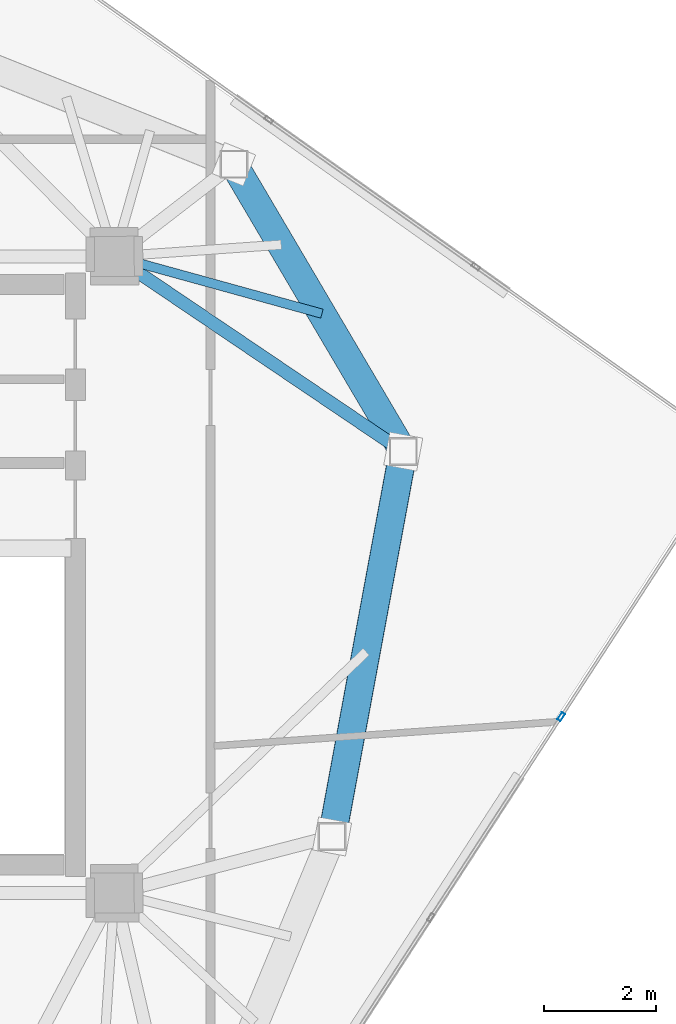
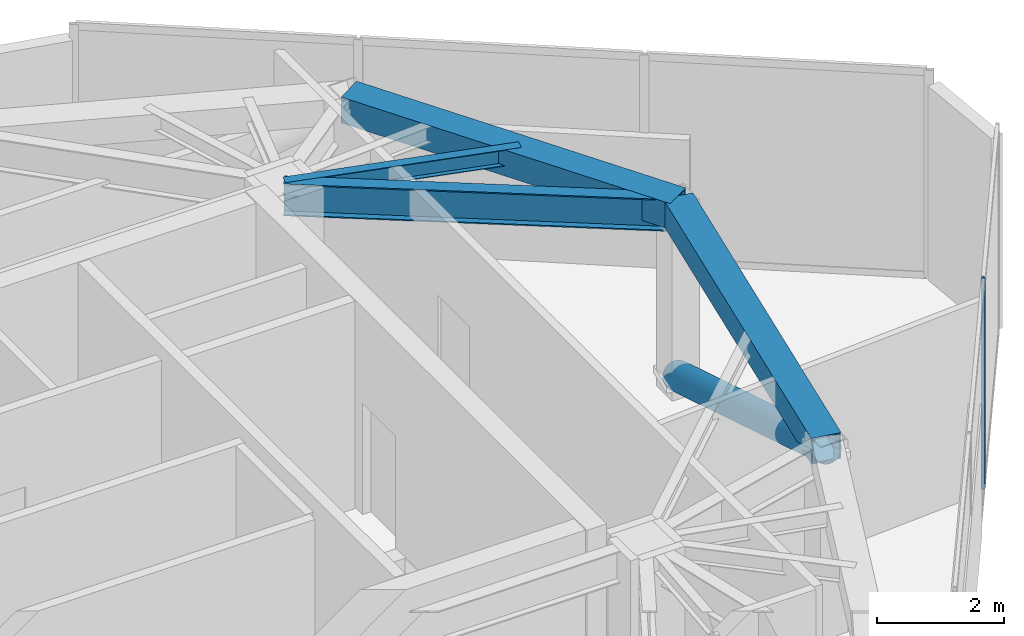
# One storey, part 13 of 20: 4 beams, 2 members, 1 element without a shape of its own.
"""IFC4 building model written with IfcOpenShell, lengths in metres."""

from ifc_helpers import new_model, si_unit, direction, frame, origin, origin_2d, place, context, subcontext, project, spatial, hollow_rectangle, hollow_circle, i_section, extrude, source, transform, mapped, material, layer, layer_set, material_profile, profile_set, type_object, type_shapes, element, aggregate, save


model = new_model("IFC4")

# Units and contexts
model_context = context("Model", 3, precision=1e-05, world=origin(), true_north=direction((0.0, 1.0)))
body_context = subcontext(model_context, "Body", "Model", "MODEL_VIEW")
ifc_project = project(units=[si_unit("LENGTHUNIT", "METRE"), si_unit("AREAUNIT", "SQUARE_METRE"), si_unit("VOLUMEUNIT", "CUBIC_METRE"), si_unit("PLANEANGLEUNIT", "RADIAN"), si_unit("MASSUNIT", "GRAM", prefix="KILO")], contexts=[model_context])

# Site, building, storey
site_placement = place(None, origin())
site = spatial("IfcSite", under=ifc_project, at=site_placement, CompositionType="ELEMENT")
building_placement = place(site_placement, origin())
building = spatial("IfcBuilding", under=site, at=building_placement, Name="Talar Marvaseh", CompositionType="ELEMENT")
storey_placement = place(building_placement, frame((0.0, 0.0, 312.0)))
storey = spatial("IfcBuildingStorey", under=building, at=storey_placement, Name="L83", CompositionType="ELEMENT", Elevation=312.0)

# Beams
ifc_material_1 = material(Name="Steel S460", Category="steel")
ifc_material_profile_1 = material_profile(ifc_material_1, hollow_rectangle(XDim=0.5, YDim=0.5, WallThickness=0.02490234375, at=origin_2d()), Name="BOX500x500x25")
ifc_profile_set_1 = profile_set([ifc_material_profile_1], Name="Steel S460")
beam_type_1 = type_object("IfcBeamType", Name="Crown Frame Top Ring Beam BOX500x500x25", PredefinedType="BEAM", material=ifc_profile_set_1)
beam_1_placement = place(storey_placement, frame((35.43798828125, 38.551025390625, 3.47509765625), z_axis=(0.507825587611, -0.861459907696, 0.0), x_axis=(0.861459907696, 0.507825587611, 0.0)))
element("IfcBeam", 1, at=beam_1_placement, inside=storey, type_object=beam_type_1, Name="L83 Crown Frame Top Ring Beam BOX500x500x25", PredefinedType="BEAM", context=body_context, shape_type="SweptSolid", body=[
    extrude(hollow_rectangle(XDim=0.5, YDim=0.5, WallThickness=0.02490234375, at=origin_2d()), origin(), (0.0, 0.0, 1.0), 5.972412109375),
])
beam_2_placement = place(storey_placement, frame((38.470947265625, 33.406005859375, 3.47509765625), z_axis=(-0.181759950929, -0.983342931148, 0.0), x_axis=(0.983342931148, -0.181759950929, 0.0)))
element("IfcBeam", 2, at=beam_2_placement, inside=storey, type_object=beam_type_1, Name="L83 Crown Frame Top Ring Beam BOX500x500x25", PredefinedType="BEAM", context=body_context, shape_type="SweptSolid", body=[
    extrude(hollow_rectangle(XDim=0.5, YDim=0.5, WallThickness=0.02490234375, at=origin_2d()), origin(), (0.0, 0.0, 1.0), 7.0087890625),
])
ifc_material_2 = material(Name="Steel S355", Category="steel")
ifc_material_profile_2 = material_profile(ifc_material_2, i_section(OverallWidth=0.166015625, OverallDepth=0.31298828125, WebThickness=0.006591796875, FlangeThickness=0.01123046875, at=origin_2d()), Name="W310x45")
ifc_profile_set_2 = profile_set([ifc_material_profile_2], Name="Steel S355")
beam_type_2 = type_object("IfcBeamType", Name="Zone 3 Secondary Floor Joist W310x45", PredefinedType="JOIST", material=ifc_profile_set_2)
beam_3_placement = place(storey_placement, frame((37.01513671875, 35.87548828125, 3.568603515625), z_axis=(-0.964021733175, 0.265823433818, 0.0), x_axis=(-0.265823433818, -0.964021733175, 0.0)))
element("IfcBeam", 3, at=beam_3_placement, inside=storey, type_object=beam_type_2, Name="L83 Zone 3 Secondary Floor Joist W310x45", PredefinedType="JOIST", context=body_context, shape_type="SweptSolid", body=[
    extrude(i_section(OverallWidth=0.166015625, OverallDepth=0.31298828125, WebThickness=0.006591796875, FlangeThickness=0.01123046875, at=origin_2d()), origin(), (0.0, 0.0, 1.0), 3.853759765625),
])
ifc_material_profile_3 = material_profile(ifc_material_2, i_section(OverallWidth=0.22998046875, OverallDepth=0.616943359375, WebThickness=0.01318359375, FlangeThickness=0.022216796875, at=origin_2d()), Name="W610x140")
ifc_profile_set_3 = profile_set([ifc_material_profile_3], Name="Steel S355")
beam_type_3 = type_object("IfcBeamType", Name="Zone 4 Radial Floor Girder W610x140", PredefinedType="BEAM", material=ifc_profile_set_3)
beam_4_placement = place(storey_placement, frame((38.470947265625, 33.406005859375, 3.41650390625), z_axis=(-0.828585535277, 0.559862492698, 0.0), x_axis=(-0.559862492698, -0.828585535277, 0.0)))
element("IfcBeam", 4, at=beam_4_placement, inside=storey, type_object=beam_type_3, Name="L83 Zone 4 Radial Floor Girder W610x140", PredefinedType="BEAM", context=body_context, shape_type="SweptSolid", body=[
    extrude(i_section(OverallWidth=0.22998046875, OverallDepth=0.616943359375, WebThickness=0.01318359375, FlangeThickness=0.022216796875, at=origin_2d()), origin(), (0.0, 0.0, 1.0), 6.24072265625),
])

# Member
ifc_material_profile_4 = material_profile(ifc_material_1, hollow_circle(Radius=0.25390625, WallThickness=0.02001953125, at=origin_2d()), Name="CHS508x20")
ifc_profile_set_4 = profile_set([ifc_material_profile_4], Name="Steel S460")
member_type_1 = type_object("IfcMemberType", Name="Crown Frame Diagonal Brace CHS508x20", PredefinedType="BRACE", material=ifc_profile_set_4)
shared_shape_1 = source(origin(), body_context, "Body", "SweptSolid", [
    extrude(hollow_circle(Radius=0.25390625, WallThickness=0.02001953125, at=origin_2d()), origin(), (0.0, 0.0, 1.0), 7.71533203125),
])
type_shapes(member_type_1, [shared_shape_1])
member_1_placement = place(storey_placement, frame((38.470947265625, 33.406005859375, 0.25), z_axis=(-0.165117940667, -0.893307678232, 0.418016097395), x_axis=(0.983342931148, -0.181759950929, 0.0)))
element("IfcMember", 5, at=member_1_placement, inside=storey, type_object=member_type_1, Name="L83 Crown Frame Diagonal Brace 7", PredefinedType="BRACE", context=body_context, shape_type="MappedRepresentation", body=[
    mapped(shared_shape_1, transform((0.0, 0.0, 0.0), x_axis=(1.0, 0.0, 0.0), y_axis=(0.0, 1.0, 0.0), z_axis=(0.0, 0.0, 1.0), scale=1.0)),
])

# Curtain wall, member
ifc_material_3 = material(Name="Architectural Aluminium", Category="aluminium")
ifc_layer = layer(ifc_material_3, 0.2099609375)
ifc_layer_set = layer_set([ifc_layer], Name="Architectural Aluminium")
curtain_wall_type = type_object("IfcCurtainWallType", Name="Crown Plant Acoustic Spandrel Curtain Wall", PredefinedType="NOTDEFINED", material=ifc_layer_set)
curtain_wall_placement = place(storey_placement, origin())
curtain_wall = element("IfcCurtainWall", 6, at=curtain_wall_placement, inside=storey, type_object=curtain_wall_type, Name="L83 Crown Plant Acoustic Spandrel Curtain Wall", PredefinedType="NOTDEFINED")
ifc_material_profile_5 = material_profile(ifc_material_3, hollow_rectangle(XDim=0.06494140625, YDim=0.14990234375, WallThickness=0.00390625, at=origin_2d()), Name="RHS150x65x4")
ifc_profile_set_5 = profile_set([ifc_material_profile_5], Name="Architectural Aluminium")
member_type_2 = type_object("IfcMemberType", Name="Unitised Curtain Wall Slim Mullion RHS150x65x4", PredefinedType="MULLION", material=ifc_profile_set_5)
shared_shape_2 = source(origin(), body_context, "Body", "SweptSolid", [
    extrude(hollow_rectangle(XDim=0.06494140625, YDim=0.14990234375, WallThickness=0.00390625, at=origin_2d()), origin(), (0.0, 0.0, 1.0), 4.0),
])
type_shapes(member_type_2, [shared_shape_2])
member_2_placement = place(storey_placement, frame((41.2998046875, 28.657470703125, 0.0), z_axis=(0.0, 0.0, 1.0), x_axis=(0.838585906919, -0.544769379387, 0.0)))
member_2 = element("IfcMember", 7, at=member_2_placement, type_object=member_type_2, Name="CW-CRN mullion 2", PredefinedType="MULLION", context=body_context, shape_type="MappedRepresentation", body=[
    mapped(shared_shape_2, transform((0.0, 0.0, 0.0), x_axis=(1.0, 0.0, 0.0), y_axis=(0.0, 1.0, 0.0), z_axis=(0.0, 0.0, 1.0), scale=1.0)),
])
aggregate(curtain_wall, [member_2])

save(model, "model.ifc")
